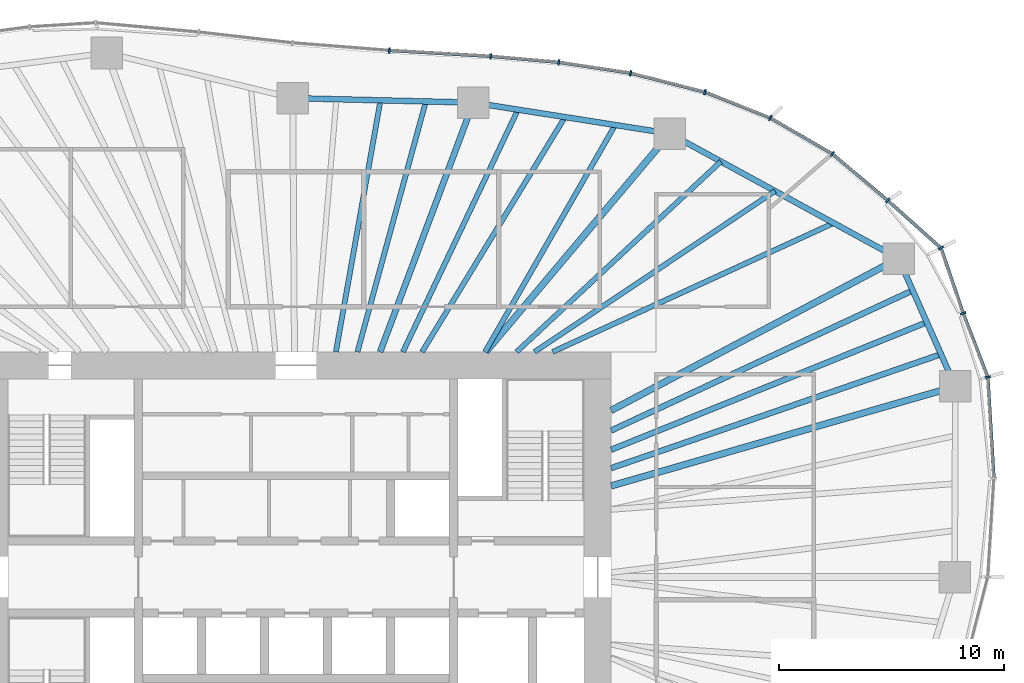
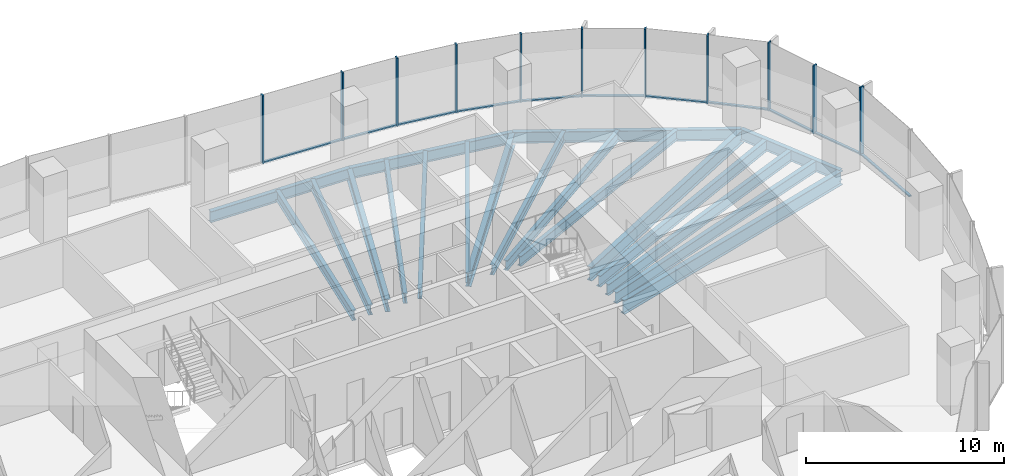
# One storey, part 6 of 18: 22 members, 19 beams, 5 elements without a shape of their own.
"""IFC4 building model written with IfcOpenShell, lengths in metres."""

from ifc_helpers import new_model, si_unit, direction, frame, origin, origin_2d, place, context, subcontext, project, spatial, rectangle, i_section, extrude, material, material_profile, profile_set, type_object, element, aggregate, save


model = new_model("IFC4")

# Units and contexts
model_context = context("Model", 3, precision=1e-05, world=origin(), true_north=direction((0.0, 1.0)))
body_context = subcontext(model_context, "Body", "Model", "MODEL_VIEW")
ifc_project = project(units=[si_unit("LENGTHUNIT", "METRE"), si_unit("AREAUNIT", "SQUARE_METRE"), si_unit("VOLUMEUNIT", "CUBIC_METRE"), si_unit("PLANEANGLEUNIT", "RADIAN"), si_unit("MASSUNIT", "GRAM", prefix="KILO")], contexts=[model_context])

# Site, building, storey
site_placement = place(None, origin())
site = spatial("IfcSite", under=ifc_project, at=site_placement, CompositionType="ELEMENT")
building_placement = place(site_placement, origin())
building = spatial("IfcBuilding", under=site, at=building_placement, Name="Ghaith Harvest Tower", CompositionType="ELEMENT")
storey_placement = place(building_placement, frame((0.0, 0.0, 159.60009765625)))
storey = spatial("IfcBuildingStorey", under=building, at=storey_placement, Name="L34", CompositionType="ELEMENT", Elevation=159.60009765625)

# Curtain wall, members
ifc_material_1 = material(Name="Black anodised aluminium and fritted glass", Category="aluminium")
curtain_wall_type = type_object("IfcCurtainWallType", Name="CW-L CURTAIN WALL", PredefinedType="NOTDEFINED", material=ifc_material_1)
curtain_wall_1_placement = place(storey_placement, origin())
curtain_wall_1 = element("IfcCurtainWall", 1, at=curtain_wall_1_placement, inside=storey, type_object=curtain_wall_type, Name="Curtain wall CW-L bay 02 L34", PredefinedType="NOTDEFINED")
ifc_material_2 = material(Name="Aluminium, black anodised", Category="aluminium")
ifc_material_profile_1 = material_profile(ifc_material_2, rectangle(XDim=0.080078125, YDim=0.239990234375, at=origin_2d()), Name="CW-L MULLION 80x240")
ifc_profile_set_1 = profile_set([ifc_material_profile_1], Name="Aluminium, black anodised")
member_type_1 = type_object("IfcMemberType", Name="CW-L MULLION 80x240", PredefinedType="MULLION", material=ifc_profile_set_1)
member_1_placement = place(storey_placement, frame((30.727294921875, 8.880859375, 0.0), z_axis=(0.0, 0.0, 1.0), x_axis=(-0.183070248196, 0.983099834313, 0.0)))
member_1 = element("IfcMember", 2, at=member_1_placement, type_object=member_type_1, Name="CW-L mullion 1 bay 02 L34", PredefinedType="MULLION", context=body_context, shape_type="SweptSolid", body=[
    extrude(rectangle(XDim=0.080078125, YDim=0.239990234375, at=origin_2d()), origin(), (0.0, 0.0, 1.0), 4.199951171875),
])
member_2_placement = place(storey_placement, frame((29.634521484375, 11.7158203125, 0.0), z_axis=(0.0, 0.0, 1.0), x_axis=(-0.340771198528, 0.940146260033, 0.0)))
member_2 = element("IfcMember", 3, at=member_2_placement, type_object=member_type_1, Name="CW-L mullion 2 bay 02 L34", PredefinedType="MULLION", context=body_context, shape_type="SweptSolid", body=[
    extrude(rectangle(XDim=0.080078125, YDim=0.239990234375, at=origin_2d()), origin(), (0.0, 0.0, 1.0), 4.199951171875),
])
member_3_placement = place(storey_placement, frame((28.64990234375, 14.61181640625, 0.0), z_axis=(0.0, 0.0, 1.0), x_axis=(-0.556324287652, 0.830965274225, 0.0)))
member_3 = element("IfcMember", 4, at=member_3_placement, type_object=member_type_1, Name="CW-L mullion 3 bay 02 L34", PredefinedType="MULLION", context=body_context, shape_type="SweptSolid", body=[
    extrude(rectangle(XDim=0.080078125, YDim=0.239990234375, at=origin_2d()), origin(), (0.0, 0.0, 1.0), 4.199951171875),
])

curtain_wall_2_placement = place(storey_placement, origin())
curtain_wall_2 = element("IfcCurtainWall", 5, at=curtain_wall_2_placement, inside=storey, type_object=curtain_wall_type, Name="Curtain wall CW-L bay 03 L34", PredefinedType="NOTDEFINED")
member_4_placement = place(storey_placement, frame((26.28076171875, 16.725341796875, 0.0), z_axis=(0.0, 0.0, 1.0), x_axis=(-0.755999423268, 0.654572281737, 0.0)))
member_4 = element("IfcMember", 6, at=member_4_placement, type_object=member_type_1, Name="CW-L mullion 1 bay 03 L34", PredefinedType="MULLION", context=body_context, shape_type="SweptSolid", body=[
    extrude(rectangle(XDim=0.080078125, YDim=0.239990234375, at=origin_2d()), origin(), (0.0, 0.0, 1.0), 4.199951171875),
])
member_5_placement = place(storey_placement, frame((23.82177734375, 18.792236328125, 0.0), z_axis=(0.0, 0.0, 1.0), x_axis=(-0.818228862146, 0.574892624018, 0.0)))
member_5 = element("IfcMember", 7, at=member_5_placement, type_object=member_type_1, Name="CW-L mullion 2 bay 03 L34", PredefinedType="MULLION", context=body_context, shape_type="SweptSolid", body=[
    extrude(rectangle(XDim=0.080078125, YDim=0.239990234375, at=origin_2d()), origin(), (0.0, 0.0, 1.0), 4.199951171875),
])
member_6_placement = place(storey_placement, frame((21.066162109375, 20.38916015625, 0.0), z_axis=(0.0, 0.0, 1.0), x_axis=(-0.899713343282, 0.436481270985, 0.0)))
member_6 = element("IfcMember", 8, at=member_6_placement, type_object=member_type_1, Name="CW-L mullion 3 bay 03 L34", PredefinedType="MULLION", context=body_context, shape_type="SweptSolid", body=[
    extrude(rectangle(XDim=0.080078125, YDim=0.239990234375, at=origin_2d()), origin(), (0.0, 0.0, 1.0), 4.199951171875),
])

curtain_wall_3_placement = place(storey_placement, origin())
curtain_wall_3 = element("IfcCurtainWall", 9, at=curtain_wall_3_placement, inside=storey, type_object=curtain_wall_type, Name="Curtain wall CW-L bay 04 L34", PredefinedType="NOTDEFINED")
member_7_placement = place(storey_placement, frame((18.162353515625, 21.537841796875, 0.0), z_axis=(0.0, 0.0, 1.0), x_axis=(-0.952152258113, 0.30562407852, 0.0)))
member_7 = element("IfcMember", 10, at=member_7_placement, type_object=member_type_1, Name="CW-L mullion 1 bay 04 L34", PredefinedType="MULLION", context=body_context, shape_type="SweptSolid", body=[
    extrude(rectangle(XDim=0.080078125, YDim=0.239990234375, at=origin_2d()), origin(), (0.0, 0.0, 1.0), 4.199951171875),
])
member_8_placement = place(storey_placement, frame((14.86474609375, 22.379638671875, 0.0), z_axis=(0.0, 0.0, 1.0), x_axis=(-0.979751952122, 0.200215165041, 0.0)))
member_8 = element("IfcMember", 11, at=member_8_placement, type_object=member_type_1, Name="CW-L mullion 2 bay 04 L34", PredefinedType="MULLION", context=body_context, shape_type="SweptSolid", body=[
    extrude(rectangle(XDim=0.080078125, YDim=0.239990234375, at=origin_2d()), origin(), (0.0, 0.0, 1.0), 4.199951171875),
])
member_9_placement = place(storey_placement, frame((11.672607421875, 22.864013671875, 0.0), z_axis=(0.0, 0.0, 1.0), x_axis=(-0.992800497873, 0.119779678673, 0.0)))
member_9 = element("IfcMember", 12, at=member_9_placement, type_object=member_type_1, Name="CW-L mullion 3 bay 04 L34", PredefinedType="MULLION", context=body_context, shape_type="SweptSolid", body=[
    extrude(rectangle(XDim=0.080078125, YDim=0.239990234375, at=origin_2d()), origin(), (0.0, 0.0, 1.0), 4.199951171875),
])

curtain_wall_4_placement = place(storey_placement, origin())
curtain_wall_4 = element("IfcCurtainWall", 13, at=curtain_wall_4_placement, inside=storey, type_object=curtain_wall_type, Name="Curtain wall CW-L bay 05 L34", PredefinedType="NOTDEFINED")
member_10_placement = place(storey_placement, frame((8.646728515625, 23.1298828125, 0.0), z_axis=(0.0, 0.0, 1.0), x_axis=(-0.997558767319, 0.069831982257, 0.0)))
member_10 = element("IfcMember", 14, at=member_10_placement, type_object=member_type_1, Name="CW-L mullion 1 bay 05 L34", PredefinedType="MULLION", context=body_context, shape_type="SweptSolid", body=[
    extrude(rectangle(XDim=0.080078125, YDim=0.239990234375, at=origin_2d()), origin(), (0.0, 0.0, 1.0), 4.199951171875),
])
member_11_placement = place(storey_placement, frame((4.146728515625, 23.390869140625, 0.0), z_axis=(0.0, 0.0, 1.0), x_axis=(-0.997689895047, 0.067932858925, 0.0)))
member_11 = element("IfcMember", 15, at=member_11_placement, type_object=member_type_1, Name="CW-L mullion 2 bay 05 L34", PredefinedType="MULLION", context=body_context, shape_type="SweptSolid", body=[
    extrude(rectangle(XDim=0.080078125, YDim=0.239990234375, at=origin_2d()), origin(), (0.0, 0.0, 1.0), 4.199951171875),
])

# Curtain wall, member
curtain_wall_5_placement = place(storey_placement, origin())
curtain_wall_5 = element("IfcCurtainWall", 16, at=curtain_wall_5_placement, inside=storey, type_object=curtain_wall_type, Name="Curtain wall CW-L bay 01 L34", PredefinedType="NOTDEFINED")
ifc_material_3 = material(Name="Aluminium, black anodised", Category="aluminium")
ifc_material_profile_2 = material_profile(ifc_material_3, rectangle(XDim=0.14990234375, YDim=0.080078125, at=origin_2d()), Name="CW-L TRANSOM 150x80")
ifc_profile_set_2 = profile_set([ifc_material_profile_2], Name="Aluminium, black anodised")
member_type_2 = type_object("IfcMemberType", Name="CW-L TRANSOM 150x80", PredefinedType="USERDEFINED", material=ifc_profile_set_2)
member_12_placement = place(storey_placement, frame((30.996337890625, 4.4296875, 0.039794921875), z_axis=(-0.060328261132, 0.99817859169, 0.0), x_axis=(-0.99817859169, -0.060328261132, 0.0)))
member_12 = element("IfcMember", 17, at=member_12_placement, type_object=member_type_2, Name="CW-L transom 2 bay 01 L34", ObjectType="TRANSOM", PredefinedType="USERDEFINED", context=body_context, shape_type="SweptSolid", body=[
    extrude(rectangle(XDim=0.14990234375, YDim=0.080078125, at=origin_2d()), origin(), (0.0, 0.0, 1.0), 4.419189453125),
])
aggregate(curtain_wall_5, [member_12])

# Member
member_13_placement = place(storey_placement, frame((30.712890625, 8.918212890625, 0.039794921875), z_axis=(-0.359637050526, 0.933092274048, 0.0), x_axis=(-0.933092274048, -0.359637050526, 0.0)))
member_13 = element("IfcMember", 18, at=member_13_placement, type_object=member_type_2, Name="CW-L transom 1 bay 02 L34", ObjectType="TRANSOM", PredefinedType="USERDEFINED", context=body_context, shape_type="SweptSolid", body=[
    extrude(rectangle(XDim=0.14990234375, YDim=0.080078125, at=origin_2d()), origin(), (0.0, 0.0, 1.0), 2.95849609375),
])

member_14_placement = place(storey_placement, frame((29.62158203125, 11.75390625, 0.039794921875), z_axis=(-0.321877752664, 0.946781237847, 0.0), x_axis=(-0.946781237847, -0.321877752664, 0.0)))
member_14 = element("IfcMember", 19, at=member_14_placement, type_object=member_type_2, Name="CW-L transom 2 bay 02 L34", ObjectType="TRANSOM", PredefinedType="USERDEFINED", context=body_context, shape_type="SweptSolid", body=[
    extrude(rectangle(XDim=0.14990234375, YDim=0.080078125, at=origin_2d()), origin(), (0.0, 0.0, 1.0), 2.978515625),
])

member_15_placement = place(storey_placement, frame((28.6201171875, 14.638427734375, 0.039794921875), z_axis=(-0.74622871112, 0.665689650438, 0.0), x_axis=(-0.665689650438, -0.74622871112, 0.0)))
member_15 = element("IfcMember", 20, at=member_15_placement, type_object=member_type_2, Name="CW-L transom 3 bay 02 L34", ObjectType="TRANSOM", PredefinedType="USERDEFINED", context=body_context, shape_type="SweptSolid", body=[
    extrude(rectangle(XDim=0.14990234375, YDim=0.080078125, at=origin_2d()), origin(), (0.0, 0.0, 1.0), 3.094970703125),
])

aggregate(curtain_wall_1, [member_1, member_13, member_2, member_14, member_3, member_15])

member_16_placement = place(storey_placement, frame((26.25, 16.7509765625, 0.039794921875), z_axis=(-0.765428400685, 0.643521066808, 0.0), x_axis=(-0.643521066808, -0.765428400685, 0.0)))
member_16 = element("IfcMember", 21, at=member_16_placement, type_object=member_type_2, Name="CW-L transom 1 bay 03 L34", ObjectType="TRANSOM", PredefinedType="USERDEFINED", context=body_context, shape_type="SweptSolid", body=[
    extrude(rectangle(XDim=0.14990234375, YDim=0.080078125, at=origin_2d()), origin(), (0.0, 0.0, 1.0), 3.132080078125),
])

member_17_placement = place(storey_placement, frame((23.787353515625, 18.812255859375, 0.039794921875), z_axis=(-0.865212673937, 0.50140505468, 0.0), x_axis=(-0.50140505468, -0.865212673937, 0.0)))
member_17 = element("IfcMember", 22, at=member_17_placement, type_object=member_type_2, Name="CW-L transom 2 bay 03 L34", ObjectType="TRANSOM", PredefinedType="USERDEFINED", context=body_context, shape_type="SweptSolid", body=[
    extrude(rectangle(XDim=0.14990234375, YDim=0.080078125, at=origin_2d()), origin(), (0.0, 0.0, 1.0), 3.10498046875),
])

member_18_placement = place(storey_placement, frame((21.029052734375, 20.40380859375, 0.039794921875), z_axis=(-0.929880954826, 0.367860584804, 0.0), x_axis=(-0.367860584804, -0.929880954826, 0.0)))
member_18 = element("IfcMember", 23, at=member_18_placement, type_object=member_type_2, Name="CW-L transom 3 bay 03 L34", ObjectType="TRANSOM", PredefinedType="USERDEFINED", context=body_context, shape_type="SweptSolid", body=[
    extrude(rectangle(XDim=0.14990234375, YDim=0.080078125, at=origin_2d()), origin(), (0.0, 0.0, 1.0), 3.04296875),
])

aggregate(curtain_wall_2, [member_4, member_16, member_5, member_17, member_6, member_18])

member_19_placement = place(storey_placement, frame((18.12353515625, 21.5478515625, 0.039794921875), z_axis=(-0.968942433805, 0.247286392614, 0.0), x_axis=(-0.247286392614, -0.968942433805, 0.0)))
member_19 = element("IfcMember", 24, at=member_19_placement, type_object=member_type_2, Name="CW-L transom 1 bay 04 L34", ObjectType="TRANSOM", PredefinedType="USERDEFINED", context=body_context, shape_type="SweptSolid", body=[
    extrude(rectangle(XDim=0.14990234375, YDim=0.080078125, at=origin_2d()), origin(), (0.0, 0.0, 1.0), 3.3232421875),
])

member_20_placement = place(storey_placement, frame((14.8251953125, 22.3857421875, 0.039794921875), z_axis=(-0.988680676153, 0.150035064572, 0.0), x_axis=(-0.150035064572, -0.988680676153, 0.0)))
member_20 = element("IfcMember", 25, at=member_20_placement, type_object=member_type_2, Name="CW-L transom 2 bay 04 L34", ObjectType="TRANSOM", PredefinedType="USERDEFINED", context=body_context, shape_type="SweptSolid", body=[
    extrude(rectangle(XDim=0.14990234375, YDim=0.080078125, at=origin_2d()), origin(), (0.0, 0.0, 1.0), 3.148681640625),
])

member_21_placement = place(storey_placement, frame((11.632568359375, 22.86767578125, 0.039794921875), z_axis=(-0.996171193061, 0.087423990507, 0.0), x_axis=(-0.087423990507, -0.996171193061, 0.0)))
member_21 = element("IfcMember", 26, at=member_21_placement, type_object=member_type_2, Name="CW-L transom 3 bay 04 L34", ObjectType="TRANSOM", PredefinedType="USERDEFINED", context=body_context, shape_type="SweptSolid", body=[
    extrude(rectangle(XDim=0.14990234375, YDim=0.080078125, at=origin_2d()), origin(), (0.0, 0.0, 1.0), 2.957275390625),
])

aggregate(curtain_wall_3, [member_7, member_19, member_8, member_20, member_9, member_21])

member_22_placement = place(storey_placement, frame((8.60693359375, 23.132080078125, 0.039794921875), z_axis=(-0.998319515187, 0.057949509028, 0.0), x_axis=(-0.057949509028, -0.998319515187, 0.0)))
member_22 = element("IfcMember", 27, at=member_22_placement, type_object=member_type_2, Name="CW-L transom 1 bay 05 L34", ObjectType="TRANSOM", PredefinedType="USERDEFINED", context=body_context, shape_type="SweptSolid", body=[
    extrude(rectangle(XDim=0.14990234375, YDim=0.080078125, at=origin_2d()), origin(), (0.0, 0.0, 1.0), 4.427734375),
])

aggregate(curtain_wall_4, [member_10, member_22, member_11])

# Beams
ifc_material_4 = material(Name="Steel ASTM A992 Grade 50", Category="steel")
ifc_material_profile_3 = material_profile(ifc_material_4, i_section(OverallWidth=0.25390625, OverallDepth=0.68408203125, WebThickness=0.012451171875, FlangeThickness=0.018798828125, at=origin_2d()), Name="W690X140")
ifc_profile_set_3 = profile_set([ifc_material_profile_3], Name="Steel ASTM A992 Grade 50")
beam_type_1 = type_object("IfcBeamType", Name="E690-140 W690X140", PredefinedType="SPANDREL", material=ifc_profile_set_3)
beam_1_placement = place(storey_placement, frame((29.285888671875, 8.464111328125, -0.51220703125), z_axis=(-0.405635615749, 0.914034872002, 0.0), x_axis=(-0.914034872002, -0.405635615749, 0.0)))
element("IfcBeam", 28, at=beam_1_placement, inside=storey, type_object=beam_type_1, Name="Edge beam E02 L34", PredefinedType="SPANDREL", context=body_context, shape_type="SweptSolid", body=[
    extrude(i_section(OverallWidth=0.25390625, OverallDepth=0.68408203125, WebThickness=0.012451171875, FlangeThickness=0.018798828125, at=origin_2d()), origin(), (0.0, 0.0, 1.0), 6.21728515625),
])
beam_2_placement = place(storey_placement, frame((26.763916015625, 14.14697265625, -0.51220703125), z_axis=(-0.877588218279, 0.479415184509, 0.0), x_axis=(-0.479415184509, -0.877588218279, 0.0)))
element("IfcBeam", 29, at=beam_2_placement, inside=storey, type_object=beam_type_1, Name="Edge beam E03 L34", PredefinedType="SPANDREL", context=body_context, shape_type="SweptSolid", body=[
    extrude(i_section(OverallWidth=0.25390625, OverallDepth=0.68408203125, WebThickness=0.012451171875, FlangeThickness=0.018798828125, at=origin_2d()), origin(), (0.0, 0.0, 1.0), 11.57275390625),
])
beam_3_placement = place(storey_placement, frame((16.60791015625, 19.695068359375, -0.51220703125), z_axis=(-0.987788485872, 0.155800857439, 0.0), x_axis=(-0.155800857439, -0.987788485872, 0.0)))
element("IfcBeam", 30, at=beam_3_placement, inside=storey, type_object=beam_type_1, Name="Edge beam E04 L34", PredefinedType="SPANDREL", context=body_context, shape_type="SweptSolid", body=[
    extrude(i_section(OverallWidth=0.25390625, OverallDepth=0.68408203125, WebThickness=0.012451171875, FlangeThickness=0.018798828125, at=origin_2d()), origin(), (0.0, 0.0, 1.0), 8.837890625),
])
beam_4_placement = place(storey_placement, frame((7.8779296875, 21.072021484375, -0.51220703125), z_axis=(-0.999692679676, 0.024790042413, 0.0), x_axis=(-0.024790042413, -0.999692679676, 0.0)))
element("IfcBeam", 31, at=beam_4_placement, inside=storey, type_object=beam_type_1, Name="Edge beam E05 L34", PredefinedType="SPANDREL", context=body_context, shape_type="SweptSolid", body=[
    extrude(i_section(OverallWidth=0.25390625, OverallDepth=0.68408203125, WebThickness=0.012451171875, FlangeThickness=0.018798828125, at=origin_2d()), origin(), (0.0, 0.0, 1.0), 8.0263671875),
])
ifc_material_5 = material(Name="Steel ASTM A992 Grade 50", Category="steel")
ifc_material_profile_4 = material_profile(ifc_material_5, i_section(OverallWidth=0.26806640625, OverallDepth=0.77001953125, WebThickness=0.015625, FlangeThickness=0.025390625, at=origin_2d()), Name="W760X196")
ifc_profile_set_4 = profile_set([ifc_material_profile_4], Name="Steel ASTM A992 Grade 50")
beam_type_2 = type_object("IfcBeamType", Name="G760-196 W760X196", PredefinedType="BEAM", material=ifc_profile_set_4)
beam_5_placement = place(storey_placement, frame((3.73828125, 10.0, -0.55517578125), z_axis=(0.350206582147, 0.936672488024, 0.0), x_axis=(-0.936672488024, 0.350206582147, 0.0)))
element("IfcBeam", 32, at=beam_5_placement, inside=storey, type_object=beam_type_2, Name="Radial girder G05 L34", PredefinedType="BEAM", context=body_context, shape_type="SweptSolid", body=[
    extrude(i_section(OverallWidth=0.26806640625, OverallDepth=0.77001953125, WebThickness=0.015625, FlangeThickness=0.025390625, at=origin_2d()), origin(), (0.0, 0.0, 1.0), 11.820556640625),
])
ifc_material_6 = material(Name="Steel ASTM A992 Grade 50", Category="steel")
ifc_material_profile_5 = material_profile(ifc_material_6, i_section(OverallWidth=0.2939453125, OverallDepth=0.85107421875, WebThickness=0.01611328125, FlangeThickness=0.02685546875, at=origin_2d()), Name="W840X226")
ifc_profile_set_5 = profile_set([ifc_material_profile_5], Name="Steel ASTM A992 Grade 50")
beam_type_3 = type_object("IfcBeamType", Name="G840-226 W840X226", PredefinedType="BEAM", material=ifc_profile_set_5)
beam_6_placement = place(storey_placement, frame((14.0, 4.04638671875, -0.595703125), z_axis=(0.960683993303, 0.27764413376, 0.0), x_axis=(-0.27764413376, 0.960683993303, 0.0)))
element("IfcBeam", 33, at=beam_6_placement, inside=storey, type_object=beam_type_3, Name="Radial girder G02 L34", PredefinedType="BEAM", context=body_context, shape_type="SweptSolid", body=[
    extrude(i_section(OverallWidth=0.2939453125, OverallDepth=0.85107421875, WebThickness=0.01611328125, FlangeThickness=0.02685546875, at=origin_2d()), origin(), (0.0, 0.0, 1.0), 15.911376953125),
])
beam_7_placement = place(storey_placement, frame((14.0, 7.39990234375, -0.595703125), z_axis=(0.884082663971, 0.467330550324, 0.0), x_axis=(-0.467330550324, 0.884082663971, 0.0)))
element("IfcBeam", 34, at=beam_7_placement, inside=storey, type_object=beam_type_3, Name="Radial girder G03 L34", PredefinedType="BEAM", context=body_context, shape_type="SweptSolid", body=[
    extrude(i_section(OverallWidth=0.2939453125, OverallDepth=0.85107421875, WebThickness=0.01611328125, FlangeThickness=0.02685546875, at=origin_2d()), origin(), (0.0, 0.0, 1.0), 14.4375),
])
beam_8_placement = place(storey_placement, frame((8.4326171875, 10.0, -0.595703125), z_axis=(0.644644245772, 0.764482698557, 0.0), x_axis=(-0.764482698557, 0.644644245772, 0.0)))
element("IfcBeam", 35, at=beam_8_placement, inside=storey, type_object=beam_type_3, Name="Radial girder G04 L34", PredefinedType="BEAM", context=body_context, shape_type="SweptSolid", body=[
    extrude(i_section(OverallWidth=0.2939453125, OverallDepth=0.85107421875, WebThickness=0.01611328125, FlangeThickness=0.02685546875, at=origin_2d()), origin(), (0.0, 0.0, 1.0), 12.681884765625),
])
ifc_material_7 = material(Name="Steel ASTM A992 Grade 50", Category="steel")
ifc_material_profile_6 = material_profile(ifc_material_7, i_section(OverallWidth=0.22900390625, OverallDepth=0.612060546875, WebThickness=0.011962890625, FlangeThickness=0.01953125, at=origin_2d()), Name="W610X125")
ifc_profile_set_6 = profile_set([ifc_material_profile_6], Name="Steel ASTM A992 Grade 50")
beam_type_4 = type_object("IfcBeamType", Name="J610-125 W610X125", PredefinedType="JOIST", material=ifc_profile_set_6)
beam_9_placement = place(storey_placement, frame((11.39990234375, 10.0, -0.47607421875), z_axis=(0.909014022454, 0.416765529983, 0.0), x_axis=(-0.416765529983, 0.909014022454, 0.0)))
element("IfcBeam", 36, at=beam_9_placement, inside=storey, type_object=beam_type_4, Name="Joist J03.1 L34", PredefinedType="JOIST", context=body_context, shape_type="SweptSolid", body=[
    extrude(i_section(OverallWidth=0.22900390625, OverallDepth=0.612060546875, WebThickness=0.011962890625, FlangeThickness=0.01953125, at=origin_2d()), origin(), (0.0, 0.0, 1.0), 13.72998046875),
])
beam_10_placement = place(storey_placement, frame((10.60009765625, 10.0, -0.47607421875), z_axis=(0.831116486766, 0.556098359489, 0.0), x_axis=(-0.556098359489, 0.831116486766, 0.0)))
element("IfcBeam", 37, at=beam_10_placement, inside=storey, type_object=beam_type_4, Name="Joist J03.2 L34", PredefinedType="JOIST", context=body_context, shape_type="SweptSolid", body=[
    extrude(i_section(OverallWidth=0.22900390625, OverallDepth=0.612060546875, WebThickness=0.011962890625, FlangeThickness=0.01953125, at=origin_2d()), origin(), (0.0, 0.0, 1.0), 12.84716796875),
])
beam_11_placement = place(storey_placement, frame((9.800048828125, 10.0, -0.47607421875), z_axis=(0.731538123562, 0.681800538116, 0.0), x_axis=(-0.681800538116, 0.731538123562, 0.0)))
element("IfcBeam", 38, at=beam_11_placement, inside=storey, type_object=beam_type_4, Name="Joist J03.3 L34", PredefinedType="JOIST", context=body_context, shape_type="SweptSolid", body=[
    extrude(i_section(OverallWidth=0.22900390625, OverallDepth=0.612060546875, WebThickness=0.011962890625, FlangeThickness=0.01953125, at=origin_2d()), origin(), (0.0, 0.0, 1.0), 12.404052734375),
])
beam_12_placement = place(storey_placement, frame((8.39990234375, 10.0, -0.47607421875), z_axis=(0.497444212127, 0.867495968764, 0.0), x_axis=(-0.867495968764, 0.497444212127, 0.0)))
element("IfcBeam", 39, at=beam_12_placement, inside=storey, type_object=beam_type_4, Name="Joist J04.1 L34", PredefinedType="JOIST", context=body_context, shape_type="SweptSolid", body=[
    extrude(i_section(OverallWidth=0.22900390625, OverallDepth=0.612060546875, WebThickness=0.011962890625, FlangeThickness=0.01953125, at=origin_2d()), origin(), (0.0, 0.0, 1.0), 11.617431640625),
])
beam_13_placement = place(storey_placement, frame((5.60009765625, 10.0, -0.47607421875), z_axis=(0.519863845761, 0.854249133374, 0.0), x_axis=(-0.854249133374, 0.519863845761, 0.0)))
element("IfcBeam", 40, at=beam_13_placement, inside=storey, type_object=beam_type_4, Name="Joist J04.2 L34", PredefinedType="JOIST", context=body_context, shape_type="SweptSolid", body=[
    extrude(i_section(OverallWidth=0.22900390625, OverallDepth=0.612060546875, WebThickness=0.011962890625, FlangeThickness=0.01953125, at=origin_2d()), origin(), (0.0, 0.0, 1.0), 12.209716796875),
])
beam_14_placement = place(storey_placement, frame((4.75, 10.0, -0.47607421875), z_axis=(0.429069356877, 0.903271546651, 0.0), x_axis=(-0.903271546651, 0.429069356877, 0.0)))
element("IfcBeam", 41, at=beam_14_placement, inside=storey, type_object=beam_type_4, Name="Joist J04.3 L34", PredefinedType="JOIST", context=body_context, shape_type="SweptSolid", body=[
    extrude(i_section(OverallWidth=0.22900390625, OverallDepth=0.612060546875, WebThickness=0.011962890625, FlangeThickness=0.01953125, at=origin_2d()), origin(), (0.0, 0.0, 1.0), 11.911376953125),
])
beam_15_placement = place(storey_placement, frame((2.73095703125, 10.0, -0.47607421875), z_axis=(0.263455967932, 0.964671422279, 0.0), x_axis=(-0.964671422279, 0.263455967932, 0.0)))
element("IfcBeam", 42, at=beam_15_placement, inside=storey, type_object=beam_type_4, Name="Joist J05.1 L34", PredefinedType="JOIST", context=body_context, shape_type="SweptSolid", body=[
    extrude(i_section(OverallWidth=0.22900390625, OverallDepth=0.612060546875, WebThickness=0.011962890625, FlangeThickness=0.01953125, at=origin_2d()), origin(), (0.0, 0.0, 1.0), 11.53173828125),
])
beam_16_placement = place(storey_placement, frame((1.772705078125, 10.0, -0.47607421875), z_axis=(0.17455599258, 0.984647249249, 0.0), x_axis=(-0.984647249249, 0.17455599258, 0.0)))
element("IfcBeam", 43, at=beam_16_placement, inside=storey, type_object=beam_type_4, Name="Joist J05.2 L34", PredefinedType="JOIST", context=body_context, shape_type="SweptSolid", body=[
    extrude(i_section(OverallWidth=0.22900390625, OverallDepth=0.612060546875, WebThickness=0.011962890625, FlangeThickness=0.01953125, at=origin_2d()), origin(), (0.0, 0.0, 1.0), 11.3486328125),
])
ifc_material_8 = material(Name="Steel ASTM A992 Grade 50", Category="steel")
ifc_material_profile_7 = material_profile(ifc_material_8, i_section(OverallWidth=0.25390625, OverallDepth=0.68408203125, WebThickness=0.012451171875, FlangeThickness=0.018798828125, at=origin_2d()), Name="W690X140")
ifc_profile_set_7 = profile_set([ifc_material_profile_7], Name="Steel ASTM A992 Grade 50")
beam_type_5 = type_object("IfcBeamType", Name="J690-140 W690X140", PredefinedType="JOIST", material=ifc_profile_set_7)
beam_17_placement = place(storey_placement, frame((14.0, 4.835693359375, -0.51220703125), z_axis=(0.945204964965, 0.32647752481, 0.0), x_axis=(-0.32647752481, 0.945204964965, 0.0)))
element("IfcBeam", 44, at=beam_17_placement, inside=storey, type_object=beam_type_5, Name="Joist J02.1 L34", PredefinedType="JOIST", context=body_context, shape_type="SweptSolid", body=[
    extrude(i_section(OverallWidth=0.25390625, OverallDepth=0.68408203125, WebThickness=0.012451171875, FlangeThickness=0.018798828125, at=origin_2d()), origin(), (0.0, 0.0, 1.0), 15.499755859375),
])
beam_18_placement = place(storey_placement, frame((14.0, 5.653564453125, -0.51220703125), z_axis=(0.927247874511, 0.374448099495, 0.0), x_axis=(-0.374448099495, 0.927247874511, 0.0)))
element("IfcBeam", 45, at=beam_18_placement, inside=storey, type_object=beam_type_5, Name="Joist J02.2 L34", PredefinedType="JOIST", context=body_context, shape_type="SweptSolid", body=[
    extrude(i_section(OverallWidth=0.25390625, OverallDepth=0.68408203125, WebThickness=0.012451171875, FlangeThickness=0.018798828125, at=origin_2d()), origin(), (0.0, 0.0, 1.0), 15.12060546875),
])
beam_19_placement = place(storey_placement, frame((14.0, 6.506103515625, -0.51220703125), z_axis=(0.906865717917, 0.42141970726, 0.0), x_axis=(-0.42141970726, 0.906865717917, 0.0)))
element("IfcBeam", 46, at=beam_19_placement, inside=storey, type_object=beam_type_5, Name="Joist J02.3 L34", PredefinedType="JOIST", context=body_context, shape_type="SweptSolid", body=[
    extrude(i_section(OverallWidth=0.25390625, OverallDepth=0.68408203125, WebThickness=0.012451171875, FlangeThickness=0.018798828125, at=origin_2d()), origin(), (0.0, 0.0, 1.0), 14.768310546875),
])

save(model, "model.ifc")
